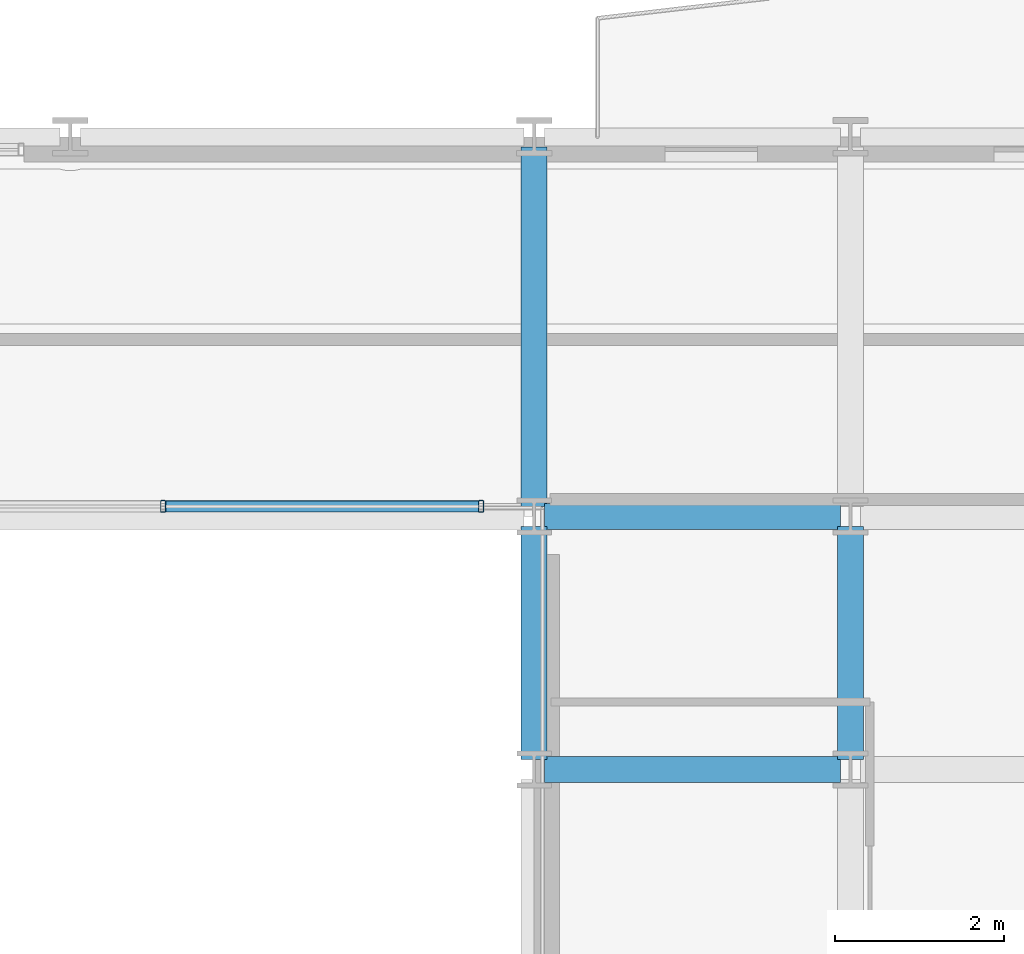
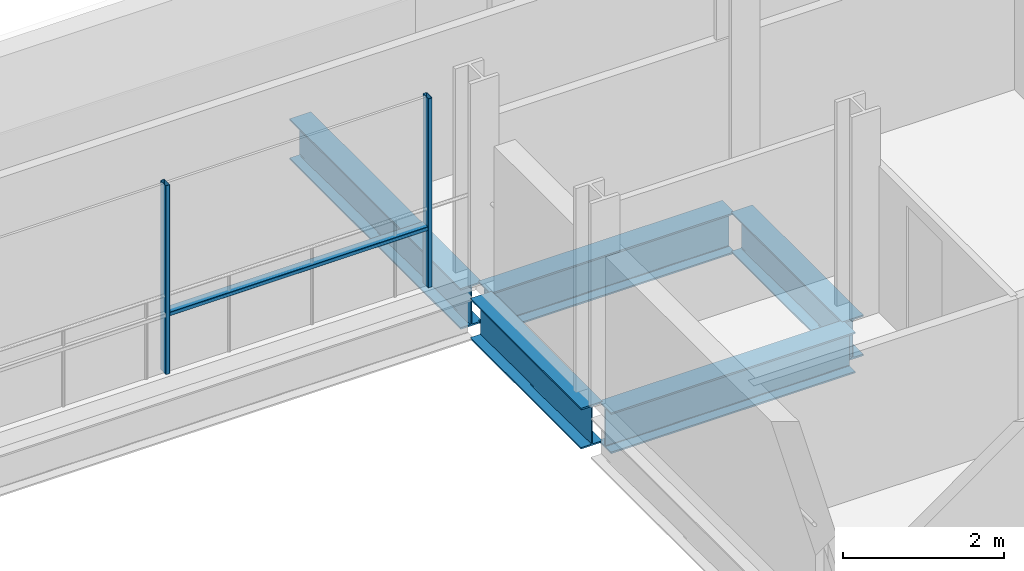
# One storey, part 17 of 40: 5 beams, 3 members, 1 element without a shape of its own.
"""IFC4 building model written with IfcOpenShell, lengths in metres."""

import ifcopenshell
import ifcopenshell.guid

model = None  # the IFC model being written
_history = None  # IfcOwnerHistory: only IFC2X3 demands one
_inside = {}  # id of a spatial element -> (the spatial element, [elements in it])
_under = {}  # id of a project, library or spatial element -> (it, [spatial elements below it])
_declared = {}  # id of a project -> (the project, [libraries it declares])
_typed = {}  # id of a type object -> (the type object, [elements of that type])
_made_of = {}  # id of a material, layer set ... -> (it, [elements and type objects made of it])


def new_model(schema):
    """Start an empty IFC model of exactly this schema.

    Asked for "IFC4X3", IfcOpenShell would pick the latest addendum, in which some entities
    have other attributes; the version numbers below select the first issue.
    IFC2X3 requires an IfcOwnerHistory on every rooted entity: one is made here for all.
    """
    global model, _history
    if schema == "IFC4X3":
        model = ifcopenshell.file(schema_version=(4, 3, 0, 0))
    else:
        model = ifcopenshell.file(schema=schema)
    _inside.clear()
    _under.clear()
    _declared.clear()
    _typed.clear()
    _made_of.clear()
    _history = None
    if model.schema == "IFC2X3":
        org = make("IfcOrganization", Name="unknown")
        user = make(
            "IfcPersonAndOrganization",
            ThePerson=make("IfcPerson", FamilyName="unknown"),
            TheOrganization=org,
        )
        app = make(
            "IfcApplication",
            ApplicationDeveloper=org,
            Version="unknown",
            ApplicationFullName="unknown",
            ApplicationIdentifier="unknown",
        )
        _history = make(
            "IfcOwnerHistory",
            OwningUser=user,
            OwningApplication=app,
            ChangeAction="ADDED",
            CreationDate=0,
        )
    return model


def make(cls, **values):
    """One entity of the class cls with the attributes given. An attribute that is None is left unset."""
    return model.create_entity(
        cls, **{name: value for name, value in values.items() if value is not None}
    )


def rooted(cls, **values):
    """An entity with a GlobalId (a new one), such as an element, a storey or a relation."""
    return make(cls, GlobalId=ifcopenshell.guid.new(), OwnerHistory=_history, **values)


def si_unit(unit_type, name, prefix=None):
    """IfcSIUnit, for example si_unit("LENGTHUNIT", "METRE", prefix="MILLI")."""
    return make("IfcSIUnit", UnitType=unit_type, Prefix=prefix, Name=name)


def assignment(units):
    """IfcUnitAssignment: the units of a project."""
    return None if units is None else make("IfcUnitAssignment", Units=units)


def point(xyz):
    """IfcCartesianPoint."""
    return None if xyz is None else make("IfcCartesianPoint", Coordinates=xyz)


def direction(xyz):
    """IfcDirection."""
    return None if xyz is None else make("IfcDirection", DirectionRatios=xyz)


def frame(location, z_axis=None, x_axis=None):
    """IfcAxis2Placement3D, a coordinate frame: its origin and axes. An axis left out is left unset."""
    return make(
        "IfcAxis2Placement3D",
        Location=point(location),
        Axis=direction(z_axis),
        RefDirection=direction(x_axis),
    )


def frame_2d(location, x_axis=None):
    """IfcAxis2Placement2D, a coordinate frame in the plane: its origin and x axis."""
    return make(
        "IfcAxis2Placement2D", Location=point(location), RefDirection=direction(x_axis)
    )


def origin():
    """The frame at (0, 0, 0) with its axes left unset."""
    return frame((0.0, 0.0, 0.0))


def origin_2d():
    """The frame at (0, 0) in the plane with its x axis left unset."""
    return frame_2d((0.0, 0.0))


def place(relative_to, where):
    """IfcLocalPlacement: puts the frame where relative to a parent placement (None: the world)."""
    return make(
        "IfcLocalPlacement", PlacementRelTo=relative_to, RelativePlacement=where
    )


def context(
    kind, dimensions, precision=None, world=None, true_north=None, identifier=None
):
    """IfcGeometricRepresentationContext, for example the 3D "Model" context."""
    return make(
        "IfcGeometricRepresentationContext",
        ContextIdentifier=identifier,
        ContextType=kind,
        CoordinateSpaceDimension=dimensions,
        Precision=precision,
        WorldCoordinateSystem=world,
        TrueNorth=true_north,
    )


def subcontext(parent, identifier, kind, view, scale=None):
    """IfcGeometricRepresentationSubContext, for example "Body" below "Model"."""
    return make(
        "IfcGeometricRepresentationSubContext",
        ContextIdentifier=identifier,
        ContextType=kind,
        ParentContext=parent,
        TargetScale=scale,
        TargetView=view,
    )


def project(units=None, contexts=None):
    """IfcProject with its units and contexts."""
    return rooted(
        "IfcProject",
        Name="project",
        RepresentationContexts=contexts,
        UnitsInContext=assignment(units),
    )


def spatial(cls, under=None, at=None, **own):
    """A site, building, storey or space (cls), placed at a placement, below another one or the project."""
    s = rooted(cls, ObjectPlacement=at, **own)
    if under is not None:
        _under.setdefault(under.id(), (under, []))[1].append(s)
    return s


def profile(cls, at=None, kind="AREA", **sizes):
    """A parametric profile (cls). Its sizes go by their IFC names, for example OverallWidth=200.0."""
    return make(cls, ProfileType=kind, Position=at, **sizes)


def hollow_rectangle(**sizes):
    """IfcRectangleHollowProfileDef."""
    return profile("IfcRectangleHollowProfileDef", **sizes)


def i_section(**sizes):
    """IfcIShapeProfileDef."""
    return profile("IfcIShapeProfileDef", **sizes)


def extrude(swept, where, along, depth):
    """IfcExtrudedAreaSolid: the profile swept, set in the frame where, extruded along a direction by depth."""
    return make(
        "IfcExtrudedAreaSolid",
        SweptArea=swept,
        Position=where,
        ExtrudedDirection=direction(along),
        Depth=depth,
    )


def shape(context_of_items, identifier, shape_type, items):
    """IfcShapeRepresentation: the items that make up one representation, for example the "Body"."""
    return make(
        "IfcShapeRepresentation",
        ContextOfItems=context_of_items,
        RepresentationIdentifier=identifier,
        RepresentationType=shape_type,
        Items=items,
    )


def material(Name=None, Category=None):
    """IfcMaterial."""
    return make("IfcMaterial", Name=Name, Category=Category)


def layer(
    of_material, thickness, ventilated=None, Name=None, Category=None, Priority=None
):
    """IfcMaterialLayer: one layer of a wall or slab, of a material (None: an air gap)."""
    return make(
        "IfcMaterialLayer",
        Material=of_material,
        LayerThickness=thickness,
        IsVentilated=ventilated,
        Name=Name,
        Category=Category,
        Priority=Priority,
    )


def layer_set(layers, Name=None):
    """IfcMaterialLayerSet."""
    return make("IfcMaterialLayerSet", MaterialLayers=layers, LayerSetName=Name)


def material_profile(
    of_material, cross_section, Name=None, Category=None, Priority=None
):
    """IfcMaterialProfile: a cross section and its material."""
    return make(
        "IfcMaterialProfile",
        Name=Name,
        Material=of_material,
        Profile=cross_section,
        Priority=Priority,
        Category=Category,
    )


def profile_set(profiles, Name=None, composite=None):
    """IfcMaterialProfileSet."""
    return make(
        "IfcMaterialProfileSet",
        Name=Name,
        MaterialProfiles=profiles,
        CompositeProfile=composite,
    )


def made_of(thing, what):
    """Note that an element or type object is made of a material, layer set ...; save() writes the relation."""
    if what is not None:
        _made_of.setdefault(what.id(), (what, []))[1].append(thing)
    return thing


def type_object(cls, material=None, **own):
    """A type object (cls), such as IfcWallType, which elements share."""
    return made_of(rooted(cls, **own), material)


def element(
    cls,
    number,
    at=None,
    inside=None,
    cuts=None,
    type_object=None,
    material=None,
    context=None,
    identifier="Body",
    shape_type=None,
    held_by="IfcProductDefinitionShape",
    body=None,
    shapes=None,
    **own,
):
    """One element of the class cls, such as IfcWall. Its Tag is "e" and its number.

    at: its placement. inside: the storey or other place that contains it. cuts: it is an
    opening in that element (IfcRelVoidsElement). A single representation is given by context,
    identifier, shape_type and body (its items); several are given by shapes. held_by: the class
    of the entity that holds the representations. save() writes the other relations.
    """
    e = rooted(cls, Tag="e%d" % number, ObjectPlacement=at, **own)
    if body is not None:
        shapes = [shape(context, identifier, shape_type, body)]
    if shapes is not None:
        e.Representation = make(held_by, Representations=shapes)
    if inside is not None:
        _inside.setdefault(inside.id(), (inside, []))[1].append(e)
    if cuts is not None:
        rooted(
            "IfcRelVoidsElement", RelatingBuildingElement=cuts, RelatedOpeningElement=e
        )
    if type_object is not None:
        _typed.setdefault(type_object.id(), (type_object, []))[1].append(e)
    return made_of(e, material)


def aggregate(whole, parts):
    """IfcRelAggregates: a whole, such as a stair, and the parts it consists of."""
    return rooted("IfcRelAggregates", RelatingObject=whole, RelatedObjects=parts)


def save(model, path):
    """Write the relations noted so far, then the file.

    IfcRelAggregates (storeys below a building ...), IfcRelContainedInSpatialStructure (elements
    in a storey), IfcRelDefinesByType, IfcRelAssociatesMaterial and IfcRelDeclares: one each for
    every whole, place, type object, material and project.
    """
    for whole, parts in _under.values():
        aggregate(whole, parts)
    for where, things in _inside.values():
        rooted(
            "IfcRelContainedInSpatialStructure",
            RelatedElements=things,
            RelatingStructure=where,
        )
    for kind, things in _typed.values():
        rooted("IfcRelDefinesByType", RelatedObjects=things, RelatingType=kind)
    for what, things in _made_of.values():
        rooted("IfcRelAssociatesMaterial", RelatedObjects=things, RelatingMaterial=what)
    for by, libraries in _declared.values():
        rooted("IfcRelDeclares", RelatingContext=by, RelatedDefinitions=libraries)
    model.write(path)


model = new_model("IFC4")

# Units and contexts
model_context = context("Model", 3, precision=1e-05, world=origin(), true_north=direction((0.0, 1.0)))
body_context = subcontext(model_context, "Body", "Model", "MODEL_VIEW")
ifc_project = project(units=[si_unit("LENGTHUNIT", "METRE"), si_unit("AREAUNIT", "SQUARE_METRE"), si_unit("VOLUMEUNIT", "CUBIC_METRE"), si_unit("PLANEANGLEUNIT", "RADIAN"), si_unit("MASSUNIT", "GRAM", prefix="KILO")], contexts=[model_context])

# Site, building, storey
site_placement = place(None, origin())
site = spatial("IfcSite", under=ifc_project, at=site_placement, CompositionType="ELEMENT")
building_placement = place(site_placement, origin())
building = spatial("IfcBuilding", under=site, at=building_placement, Name="Brevholm Reach", CompositionType="ELEMENT")
storey_placement = place(building_placement, frame((0.0, 0.0, 62.10009765625)))
storey = spatial("IfcBuildingStorey", under=building, at=storey_placement, Name="L17", CompositionType="ELEMENT", Elevation=62.10009765625)

# Beams
ifc_material_1 = material(Name="Structural Steel S355J2", Category="steel")
ifc_material_profile_1 = material_profile(ifc_material_1, i_section(OverallWidth=0.30712890625, OverallDepth=0.6201171875, WebThickness=0.01416015625, FlangeThickness=0.023681640625, FilletRadius=0.0166015625, at=origin_2d()), Name="UKB 610x305x179")
ifc_profile_set_1 = profile_set([ifc_material_profile_1], Name="Structural Steel S355J2")
beam_type = type_object("IfcBeamType", Name="BM-UKB610H", PredefinedType="USERDEFINED", material=ifc_profile_set_1)
for number, where, z_axis, x_axis, name in (
    (1, (38.3701171875, 23.5, -0.540283203125), (1.0, 0.0, 0.0), (0.0, 1.0, 0.0), "L17 G-06 Framing Beam"),
    (2, (38.3701171875, 26.5, -0.540283203125), (1.0, 0.0, 0.0), (0.0, 1.0, 0.0), "L17 G-06 Framing Beam"),
):
    element("IfcBeam", number, at=place(storey_placement, frame(where, z_axis=z_axis, x_axis=x_axis)), inside=storey, type_object=beam_type, Name=name, ObjectType="GIRDER", PredefinedType="USERDEFINED", context=body_context, shape_type="SweptSolid", body=[
        extrude(i_section(OverallWidth=0.30712890625, OverallDepth=0.6201171875, WebThickness=0.01416015625, FlangeThickness=0.023681640625, FilletRadius=0.0166015625, at=origin_2d()), origin(), (0.0, 0.0, 1.0), 3.509765625),
    ])
beam_1_placement = place(storey_placement, frame((38.25, 23.6201171875, -0.540283203125), z_axis=(0.0, 1.0, 0.0), x_axis=(-1.0, 0.0, 0.0)))
element("IfcBeam", 3, at=beam_1_placement, inside=storey, type_object=beam_type, Name="L17 G-06 Framing Beam", ObjectType="GIRDER", PredefinedType="USERDEFINED", context=body_context, shape_type="SweptSolid", body=[
    extrude(i_section(OverallWidth=0.30712890625, OverallDepth=0.6201171875, WebThickness=0.01416015625, FlangeThickness=0.023681640625, FilletRadius=0.0166015625, at=origin_2d()), origin(), (0.0, 0.0, 1.0), 2.759765625),
])
beam_2_placement = place(storey_placement, frame((38.25, 26.6201171875, -0.540283203125), z_axis=(0.0, 1.0, 0.0), x_axis=(-1.0, 0.0, 0.0)))
element("IfcBeam", 4, at=beam_2_placement, inside=storey, type_object=beam_type, Name="L17 G-06 Framing Beam", ObjectType="GIRDER", PredefinedType="USERDEFINED", context=body_context, shape_type="SweptSolid", body=[
    extrude(i_section(OverallWidth=0.30712890625, OverallDepth=0.6201171875, WebThickness=0.01416015625, FlangeThickness=0.023681640625, FilletRadius=0.0166015625, at=origin_2d()), origin(), (0.0, 0.0, 1.0), 4.259765625),
])
beam_3_placement = place(storey_placement, frame((42.0, 23.6201171875, -0.540283203125), z_axis=(0.0, 1.0, 0.0), x_axis=(-1.0, 0.0, 0.0)))
element("IfcBeam", 5, at=beam_3_placement, inside=storey, type_object=beam_type, Name="L17 G-06 Framing Beam", ObjectType="GIRDER", PredefinedType="USERDEFINED", context=body_context, shape_type="SweptSolid", body=[
    extrude(i_section(OverallWidth=0.30712890625, OverallDepth=0.6201171875, WebThickness=0.01416015625, FlangeThickness=0.023681640625, FilletRadius=0.0166015625, at=origin_2d()), origin(), (0.0, 0.0, 1.0), 2.759765625),
])

# Curtain wall, members
ifc_material_2 = material(Name="Dark Anodised Aluminium 6063-T6 and Solar-Control Glass", Category="aluminium")
ifc_layer = layer(ifc_material_2, 0.139892578125)
ifc_layer_set = layer_set([ifc_layer], Name="Dark Anodised Aluminium 6063-T6 and Solar-Control Glass")
curtain_wall_type = type_object("IfcCurtainWallType", Name="CW-02", PredefinedType="NOTDEFINED", material=ifc_layer_set)
curtain_wall_placement = place(storey_placement, origin())
curtain_wall = element("IfcCurtainWall", 6, at=curtain_wall_placement, inside=storey, type_object=curtain_wall_type, Name="L17 Curtain Wall CW-02", PredefinedType="NOTDEFINED")
ifc_material_3 = material(Name="Dark Anodised Aluminium 6063-T6", Category="aluminium")
ifc_material_profile_2 = material_profile(ifc_material_3, hollow_rectangle(XDim=0.06005859375, YDim=0.139892578125, WallThickness=0.0048828125, InnerFilletRadius=0.0048828125, OuterFilletRadius=0.010009765625, at=origin_2d()), Name="RHS 140x60x5")
ifc_profile_set_2 = profile_set([ifc_material_profile_2], Name="Dark Anodised Aluminium 6063-T6")
member_type_1 = type_object("IfcMemberType", Name="CWM-140", PredefinedType="MULLION", material=ifc_profile_set_2)
member_1_placement = place(storey_placement, frame((37.6201171875, 26.6201171875, 0.0), z_axis=(0.0, 0.0, 1.0), x_axis=(-1.0, 0.0, 0.0)))
member_1 = element("IfcMember", 7, at=member_1_placement, type_object=member_type_1, Name="CM-140 Mullion 1", PredefinedType="MULLION", context=body_context, shape_type="SweptSolid", body=[
    extrude(hollow_rectangle(XDim=0.06005859375, YDim=0.139892578125, WallThickness=0.0048828125, InnerFilletRadius=0.0048828125, OuterFilletRadius=0.010009765625, at=origin_2d()), origin(), (0.0, 0.0, 1.0), 2.869873046875),
])
member_2_placement = place(storey_placement, frame((33.85009765625, 26.6201171875, 0.0), z_axis=(0.0, 0.0, 1.0), x_axis=(-1.0, 0.0, 0.0)))
member_2 = element("IfcMember", 8, at=member_2_placement, type_object=member_type_1, Name="CM-140 Mullion 2", PredefinedType="MULLION", context=body_context, shape_type="SweptSolid", body=[
    extrude(hollow_rectangle(XDim=0.06005859375, YDim=0.139892578125, WallThickness=0.0048828125, InnerFilletRadius=0.0048828125, OuterFilletRadius=0.010009765625, at=origin_2d()), origin(), (0.0, 0.0, 1.0), 2.869873046875),
])
ifc_material_4 = material(Name="Dark Anodised Aluminium 6063-T6", Category="aluminium")
ifc_material_profile_3 = material_profile(ifc_material_4, hollow_rectangle(XDim=0.06005859375, YDim=0.139892578125, WallThickness=0.0048828125, InnerFilletRadius=0.0048828125, OuterFilletRadius=0.010009765625, at=origin_2d()), Name="RHS 140x60x5")
ifc_profile_set_3 = profile_set([ifc_material_profile_3], Name="Dark Anodised Aluminium 6063-T6")
member_type_2 = type_object("IfcMemberType", Name="CWT-140", PredefinedType="NOTDEFINED", material=ifc_profile_set_3)
member_3_placement = place(storey_placement, frame((37.590087890625, 26.6201171875, 0.89990234375), z_axis=(-1.0, 0.0, 0.0), x_axis=(0.0, 0.0, 1.0)))
member_3 = element("IfcMember", 9, at=member_3_placement, type_object=member_type_2, Name="CT-140 Transom 1.1", ObjectType="TRANSOM", PredefinedType="USERDEFINED", context=body_context, shape_type="SweptSolid", body=[
    extrude(hollow_rectangle(XDim=0.06005859375, YDim=0.139892578125, WallThickness=0.0048828125, InnerFilletRadius=0.0048828125, OuterFilletRadius=0.010009765625, at=origin_2d()), origin(), (0.0, 0.0, 1.0), 3.710205078125),
])
aggregate(curtain_wall, [member_1, member_2, member_3])

save(model, "model.ifc")
